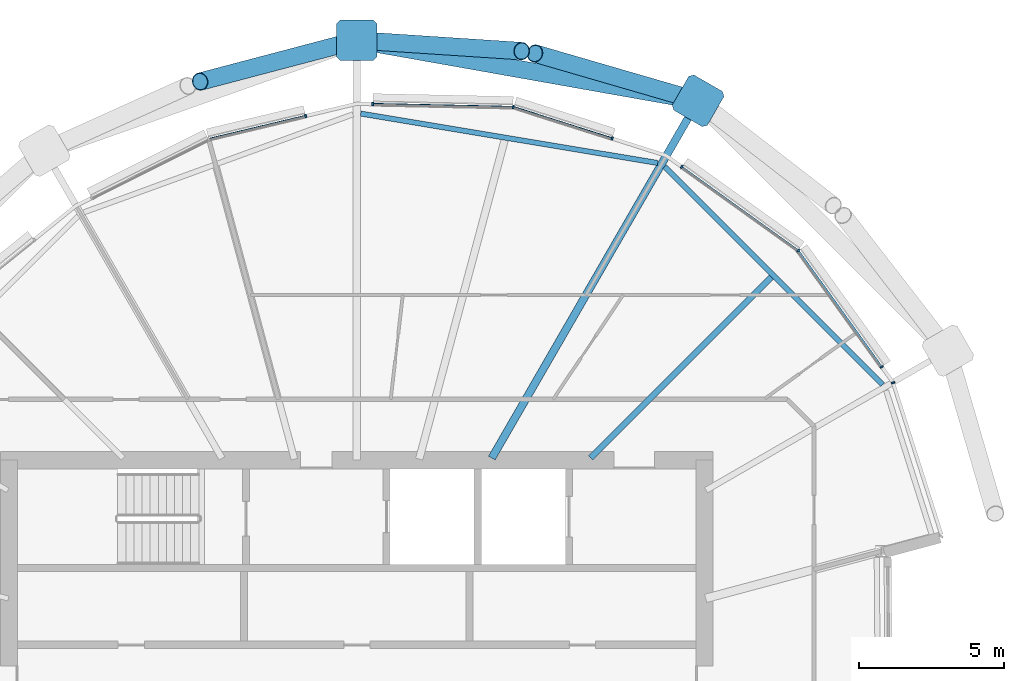
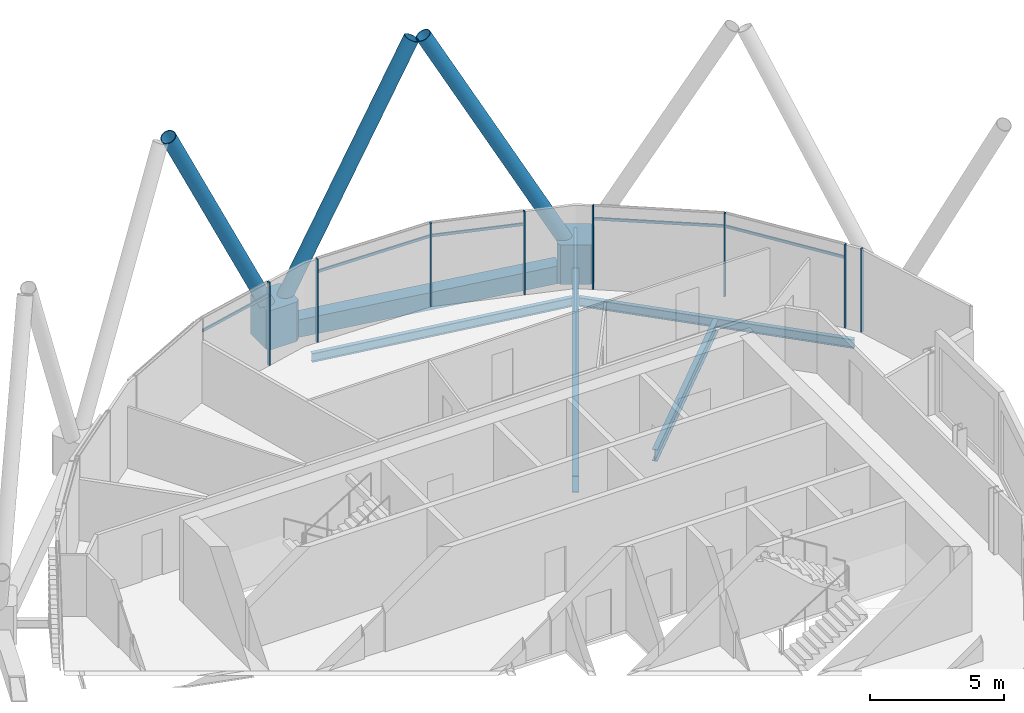
# One storey, part 19 of 36: 18 members, 5 beams, 1 element without a shape of its own.
"""IFC4 building model written with IfcOpenShell, lengths in metres."""

from ifc_helpers import new_model, si_unit, direction, frame, origin, origin_2d, place, context, subcontext, project, spatial, polyline, rectangle, hollow_rectangle, hollow_circle, i_section, outline, extrude, material, material_profile, profile_set, type_object, element, aggregate, save


model = new_model("IFC4")

# Units and contexts
model_context = context("Model", 3, precision=1e-05, world=origin(), true_north=direction((0.0, 1.0)))
body_context = subcontext(model_context, "Body", "Model", "MODEL_VIEW")
ifc_project = project(units=[si_unit("LENGTHUNIT", "METRE"), si_unit("AREAUNIT", "SQUARE_METRE"), si_unit("VOLUMEUNIT", "CUBIC_METRE"), si_unit("PLANEANGLEUNIT", "RADIAN"), si_unit("MASSUNIT", "GRAM", prefix="KILO")], contexts=[model_context])

# Site, building, storey
site_placement = place(None, origin())
site = spatial("IfcSite", under=ifc_project, at=site_placement, CompositionType="ELEMENT")
building_placement = place(site_placement, origin())
building = spatial("IfcBuilding", under=site, at=building_placement, Name="Rimbun Link Towers", CompositionType="ELEMENT")
storey_placement = place(building_placement, frame((0.0, 0.0, 193.10009765625)))
storey = spatial("IfcBuildingStorey", under=building, at=storey_placement, Name="L47", CompositionType="ELEMENT", Elevation=193.10009765625)

# Curtain wall, members
ifc_material_1 = material(Name="Aluminium 6063-T6 and low-iron glass", Category="aluminium")
curtain_wall_type = type_object("IfcCurtainWallType", Name="CW1-Z3 unitised vision wall (zone 3)", PredefinedType="NOTDEFINED", material=ifc_material_1)
curtain_wall_placement = place(storey_placement, origin())
curtain_wall = element("IfcCurtainWall", 1, at=curtain_wall_placement, inside=storey, type_object=curtain_wall_type, Name="CW1 L47 T2", PredefinedType="NOTDEFINED")
ifc_material_2 = material(Name="Aluminium 6063-T6", Category="aluminium")
ifc_material_profile_1 = material_profile(ifc_material_2, rectangle(XDim=0.1201171875, YDim=0.06005859375, at=origin_2d()), Name="MULLION 60X120")
ifc_profile_set_1 = profile_set([ifc_material_profile_1], Name="Aluminium 6063-T6")
member_type_1 = type_object("IfcMemberType", Name="CW1 mullion 60X120", PredefinedType="MULLION", material=ifc_profile_set_1)
member_1_placement = place(storey_placement, frame((42.964599609375, 18.118408203125, 0.0), z_axis=(0.0, 0.0, 1.0), x_axis=(0.583009333198, 0.81246545613, 0.0)))
member_1 = element("IfcMember", 2, at=member_1_placement, type_object=member_type_1, Name="CW1 mullion", PredefinedType="MULLION", context=body_context, shape_type="SweptSolid", body=[
    extrude(rectangle(XDim=0.1201171875, YDim=0.06005859375, at=origin_2d()), origin(), (0.0, 0.0, 1.0), 3.7998046875),
])
member_2_placement = place(storey_placement, frame((46.983642578125, 15.233642578125, 0.0), z_axis=(0.0, 0.0, 1.0), x_axis=(0.707106781187, 0.707106781187, 0.0)))
member_2 = element("IfcMember", 3, at=member_2_placement, type_object=member_type_1, Name="CW1 mullion", PredefinedType="MULLION", context=body_context, shape_type="SweptSolid", body=[
    extrude(rectangle(XDim=0.1201171875, YDim=0.06005859375, at=origin_2d()), origin(), (0.0, 0.0, 1.0), 3.7998046875),
])
member_3_placement = place(storey_placement, frame((37.1513671875, 20.1806640625, 0.0), z_axis=(0.0, 0.0, 1.0), x_axis=(0.16374971191, 0.9865019168, 0.0)))
member_3 = element("IfcMember", 4, at=member_3_placement, type_object=member_type_1, Name="CW1 mullion", PredefinedType="MULLION", context=body_context, shape_type="SweptSolid", body=[
    extrude(rectangle(XDim=0.1201171875, YDim=0.06005859375, at=origin_2d()), origin(), (0.0, 0.0, 1.0), 3.7998046875),
])
member_4_placement = place(storey_placement, frame((40.561279296875, 19.096923828125, 0.0), z_axis=(0.0, 0.0, 1.0), x_axis=(0.303071290464, 0.952967886603, 0.0)))
member_4 = element("IfcMember", 5, at=member_4_placement, type_object=member_type_1, Name="CW1 mullion", PredefinedType="MULLION", context=body_context, shape_type="SweptSolid", body=[
    extrude(rectangle(XDim=0.1201171875, YDim=0.06005859375, at=origin_2d()), origin(), (0.0, 0.0, 1.0), 3.7998046875),
])
member_5_placement = place(storey_placement, frame((32.301025390625, 20.283447265625, 0.0), z_axis=(0.0, 0.0, 1.0), x_axis=(0.021065527565, 0.999778097154, 0.0)))
member_5 = element("IfcMember", 6, at=member_5_placement, type_object=member_type_1, Name="CW1 mullion", PredefinedType="MULLION", context=body_context, shape_type="SweptSolid", body=[
    extrude(rectangle(XDim=0.1201171875, YDim=0.06005859375, at=origin_2d()), origin(), (0.0, 0.0, 1.0), 3.7998046875),
])
member_6_placement = place(storey_placement, frame((29.9853515625, 19.874755859375, 0.0), z_axis=(0.0, 0.0, 1.0), x_axis=(-0.23261560244, 0.972568754126, 0.0)))
member_6 = element("IfcMember", 7, at=member_6_placement, type_object=member_type_1, Name="CW1 mullion", PredefinedType="MULLION", context=body_context, shape_type="SweptSolid", body=[
    extrude(rectangle(XDim=0.1201171875, YDim=0.06005859375, at=origin_2d()), origin(), (0.0, 0.0, 1.0), 3.7998046875),
])
member_7_placement = place(storey_placement, frame((50.255859375, 10.669677734375, 0.0), z_axis=(0.0, 0.0, 1.0), x_axis=(0.952967886603, 0.303071290464, 0.0)))
member_7 = element("IfcMember", 8, at=member_7_placement, type_object=member_type_1, Name="CW1 mullion", PredefinedType="MULLION", context=body_context, shape_type="SweptSolid", body=[
    extrude(rectangle(XDim=0.1201171875, YDim=0.06005859375, at=origin_2d()), origin(), (0.0, 0.0, 1.0), 3.7998046875),
])
member_8_placement = place(storey_placement, frame((49.868408203125, 11.214599609375, 0.0), z_axis=(0.0, 0.0, 1.0), x_axis=(0.81246545613, 0.583009333198, 0.0)))
member_8 = element("IfcMember", 9, at=member_8_placement, type_object=member_type_1, Name="CW1 mullion", PredefinedType="MULLION", context=body_context, shape_type="SweptSolid", body=[
    extrude(rectangle(XDim=0.1201171875, YDim=0.06005859375, at=origin_2d()), origin(), (0.0, 0.0, 1.0), 3.7998046875),
])
ifc_material_3 = material(Name="Aluminium 6063-T6", Category="aluminium")
ifc_material_profile_2 = material_profile(ifc_material_3, rectangle(XDim=0.06005859375, YDim=0.1201171875, at=origin_2d()), Name="TRANSOM 60X120")
ifc_profile_set_2 = profile_set([ifc_material_profile_2], Name="Aluminium 6063-T6")
member_type_2 = type_object("IfcMemberType", Name="CW1 transom 60X120", PredefinedType="USERDEFINED", material=ifc_profile_set_2)
member_9_placement = place(storey_placement, frame((42.98779296875, 18.099365234375, 3.199951171875), z_axis=(0.812442893162, -0.583040775032, 0.0), x_axis=(0.583040775032, 0.812442893162, 0.0)))
member_9 = element("IfcMember", 10, at=member_9_placement, type_object=member_type_2, Name="CW1 transom", ObjectType="TRANSOM", PredefinedType="USERDEFINED", context=body_context, shape_type="SweptSolid", body=[
    extrude(rectangle(XDim=0.06005859375, YDim=0.1201171875, at=origin_2d()), origin(), (0.0, 0.0, 1.0), 4.87744140625),
])
member_10_placement = place(storey_placement, frame((37.187744140625, 20.167724609375, 3.199951171875), z_axis=(0.952955012801, -0.303111767468, 0.0), x_axis=(0.303111767468, 0.952955012801, 0.0)))
member_10 = element("IfcMember", 11, at=member_10_placement, type_object=member_type_2, Name="CW1 transom", ObjectType="TRANSOM", PredefinedType="USERDEFINED", context=body_context, shape_type="SweptSolid", body=[
    extrude(rectangle(XDim=0.06005859375, YDim=0.1201171875, at=origin_2d()), origin(), (0.0, 0.0, 1.0), 3.50927734375),
])
member_11_placement = place(storey_placement, frame((32.3310546875, 20.28076171875, 3.199951171875), z_axis=(0.999778828666, -0.021030781038, 0.0), x_axis=(0.021030781038, 0.999778828666, 0.0)))
member_11 = element("IfcMember", 12, at=member_11_placement, type_object=member_type_2, Name="CW1 transom", ObjectType="TRANSOM", PredefinedType="USERDEFINED", context=body_context, shape_type="SweptSolid", body=[
    extrude(rectangle(XDim=0.06005859375, YDim=0.1201171875, at=origin_2d()), origin(), (0.0, 0.0, 1.0), 4.78271484375),
])
member_12_placement = place(storey_placement, frame((26.670166015625, 19.079833984375, 3.199951171875), z_axis=(0.972581733642, 0.232561328227, 0.0), x_axis=(-0.232561328227, 0.972581733642, 0.0)))
member_12 = element("IfcMember", 13, at=member_12_placement, type_object=member_type_2, Name="CW1 transom", ObjectType="TRANSOM", PredefinedType="USERDEFINED", context=body_context, shape_type="SweptSolid", body=[
    extrude(rectangle(XDim=0.06005859375, YDim=0.1201171875, at=origin_2d()), origin(), (0.0, 0.0, 1.0), 3.37939453125),
])
member_13_placement = place(storey_placement, frame((47.005615234375, 15.200439453125, 3.199951171875), z_axis=(0.583040775032, -0.812442893162, 0.0), x_axis=(0.812442893162, 0.583040775032, 0.0)))
member_13 = element("IfcMember", 14, at=member_13_placement, type_object=member_type_2, Name="CW1 transom", ObjectType="TRANSOM", PredefinedType="USERDEFINED", context=body_context, shape_type="SweptSolid", body=[
    extrude(rectangle(XDim=0.06005859375, YDim=0.1201171875, at=origin_2d()), origin(), (0.0, 0.0, 1.0), 4.87744140625),
])
aggregate(curtain_wall, [member_1, member_2, member_3, member_4, member_5, member_6, member_7, member_8, member_9, member_10, member_11, member_12, member_13])

# Members
ifc_material_4 = material(Name="Steel S355J2H", Category="steel")
ifc_material_profile_3 = material_profile(ifc_material_4, hollow_circle(Radius=0.3046875, WallThickness=0.02490234375, at=origin_2d()), Name="Diagrid diagonal CHS 610x25")
ifc_profile_set_3 = profile_set([ifc_material_profile_3], Name="Steel S355J2H")
member_type_3 = type_object("IfcMemberType", Name="Diagrid diagonal CHS 610x25", PredefinedType="BRACE", material=ifc_profile_set_3)
member_14_placement = place(storey_placement, frame((43.2998046875, 20.462890625, 0.44091796875), z_axis=(-0.452934087612, 0.13146530095, 0.881797928624), x_axis=(-0.278748220303, -0.9603642172, 0.0)))
element("IfcMember", 15, at=member_14_placement, inside=storey, type_object=member_type_3, Name="Diagrid diagonal T2 L47-L50 01b", PredefinedType="BRACE", context=body_context, shape_type="SweptSolid", body=[
    extrude(hollow_circle(Radius=0.3046875, WallThickness=0.02490234375, at=origin_2d()), origin(), (0.0, 0.0, 1.0), 11.927978515625),
])
member_15_placement = place(storey_placement, frame((31.98046875, 22.469970703125, 0.443359375), z_axis=(0.460692482937, -0.030219811861, 0.887045206929), x_axis=(0.065455820602, 0.997855468266, 0.0)))
element("IfcMember", 16, at=member_15_placement, inside=storey, type_object=member_type_3, Name="Diagrid diagonal T2 L47-L50 03a", PredefinedType="BRACE", context=body_context, shape_type="SweptSolid", body=[
    extrude(hollow_circle(Radius=0.3046875, WallThickness=0.02490234375, at=origin_2d()), origin(), (0.0, 0.0, 1.0), 11.8515625),
])
member_16_placement = place(storey_placement, frame((31.5302734375, 22.42724609375, 0.4453125), z_axis=(-0.439677917546, -0.115847372251, 0.890652971232), x_axis=(0.254786717155, -0.966997274433, 0.0)))
element("IfcMember", 17, at=member_16_placement, inside=storey, type_object=member_type_3, Name="Diagrid diagonal T2 L47-L50 03b", PredefinedType="BRACE", context=body_context, shape_type="SweptSolid", body=[
    extrude(hollow_circle(Radius=0.3046875, WallThickness=0.02490234375, at=origin_2d()), origin(), (0.0, 0.0, 1.0), 11.799560546875),
])
ifc_material_5 = material(Name="Cast steel G20Mn5+QT, Rp0.2 300 MPa", Category="steel")
ifc_material_profile_4 = material_profile(ifc_material_5, outline(polyline([(0.699951171875, -0.570068359375), (0.699951171875, 0.570068359375), (0.570068359375, 0.699951171875), (-0.570068359375, 0.699951171875), (-0.699951171875, 0.570068359375), (-0.699951171875, -0.570068359375), (-0.570068359375, -0.699951171875), (0.570068359375, -0.699951171875), (0.699951171875, -0.570068359375)])), Name="NODE 1400x1400")
ifc_profile_set_4 = profile_set([ifc_material_profile_4], Name="Cast steel G20Mn5+QT, Rp0.2 300 MPa")
member_type_4 = type_object("IfcMemberType", Name="Diagrid node cast 1400", PredefinedType="USERDEFINED", material=ifc_profile_set_4)
for number, where, z_axis, x_axis, name in (
    (18, (43.5263671875, 20.397216796875, -0.900146484375), (0.0, 0.0, 1.0), (0.5, 0.866025403784, 0.0), "Diagrid node L47 01"),
    (19, (31.75, 22.485107421875, -0.900146484375), (0.0, 0.0, 1.0), (0.0, 1.0, 0.0), "Diagrid node L47 03"),
):
    element("IfcMember", number, at=place(storey_placement, frame(where, z_axis=z_axis, x_axis=x_axis)), inside=storey, type_object=member_type_4, Name=name, ObjectType="Diagrid node", PredefinedType="USERDEFINED", context=body_context, shape_type="SweptSolid", body=[
        extrude(outline(polyline([(0.699951171875, -0.570068359375), (0.699951171875, 0.570068359375), (0.570068359375, 0.699951171875), (-0.570068359375, 0.699951171875), (-0.699951171875, 0.570068359375), (-0.699951171875, -0.570068359375), (-0.570068359375, -0.699951171875), (0.570068359375, -0.699951171875), (0.699951171875, -0.570068359375)])), origin(), (0.0, 0.0, 1.0), 1.800048828125),
    ])

# Beams
ifc_material_6 = material(Name="Steel S355J2", Category="steel")
ifc_material_profile_5 = material_profile(ifc_material_6, hollow_rectangle(XDim=0.60009765625, YDim=0.800048828125, WallThickness=0.0400390625, at=origin_2d()), Name="Exoskeleton ring girder BOX 600x800x40")
ifc_profile_set_5 = profile_set([ifc_material_profile_5], Name="Steel S355J2")
beam_type_1 = type_object("IfcBeamType", Name="Exoskeleton ring girder BOX 600x800x40", PredefinedType="BEAM", material=ifc_profile_set_5)
beam_1_placement = place(storey_placement, frame((42.837158203125, 20.51953125, -0.56005859375), z_axis=(-0.984648270208, 0.17455023339, 0.0), x_axis=(-0.17455023339, -0.984648270208, 0.0)))
element("IfcBeam", 20, at=beam_1_placement, inside=storey, type_object=beam_type_1, Name="Exoskeleton ring girder L47 00", PredefinedType="BEAM", context=body_context, shape_type="SweptSolid", body=[
    extrude(hollow_rectangle(XDim=0.60009765625, YDim=0.800048828125, WallThickness=0.0400390625, at=origin_2d()), origin(), (0.0, 0.0, 1.0), 10.56005859375),
])
ifc_material_7 = material(Name="Steel S355J2", Category="steel")
ifc_material_profile_6 = material_profile(ifc_material_7, i_section(OverallWidth=0.177978515625, OverallDepth=0.406494140625, WebThickness=0.0078125, FlangeThickness=0.0126953125, at=origin_2d()), Name="UB 406x178x60")
ifc_profile_set_6 = profile_set([ifc_material_profile_6], Name="Steel S355J2")
beam_type_2 = type_object("IfcBeamType", Name="UB 406x178x60", PredefinedType="BEAM", material=ifc_profile_set_6)
beam_2_placement = place(storey_placement, frame((42.1318359375, 18.25048828125, -0.353271484375), z_axis=(-0.986434544203, 0.164155079127, 0.0), x_axis=(-0.164155079127, -0.986434544203, 0.0)))
element("IfcBeam", 21, at=beam_2_placement, inside=storey, type_object=beam_type_2, Name="Edge beam T2 L47 01-03", PredefinedType="BEAM", context=body_context, shape_type="SweptSolid", body=[
    extrude(i_section(OverallWidth=0.177978515625, OverallDepth=0.406494140625, WebThickness=0.0078125, FlangeThickness=0.0126953125, at=origin_2d()), origin(), (0.0, 0.0, 1.0), 10.388427734375),
])
beam_3_placement = place(storey_placement, frame((49.89990234375, 10.6005859375, -0.353271484375), z_axis=(-0.707118246884, 0.707095315303, 0.0), x_axis=(-0.707095315303, -0.707118246884, 0.0)))
element("IfcBeam", 22, at=beam_3_placement, inside=storey, type_object=beam_type_2, Name="Edge beam T2 L47 23-01", PredefinedType="BEAM", context=body_context, shape_type="SweptSolid", body=[
    extrude(i_section(OverallWidth=0.177978515625, OverallDepth=0.406494140625, WebThickness=0.0078125, FlangeThickness=0.0126953125, at=origin_2d()), origin(), (0.0, 0.0, 1.0), 10.646484375),
])
ifc_material_8 = material(Name="Steel S355J2", Category="steel")
ifc_material_profile_7 = material_profile(ifc_material_8, i_section(OverallWidth=0.209228515625, OverallDepth=0.533203125, WebThickness=0.010009765625, FlangeThickness=0.015625, at=origin_2d()), Name="UB 533x210x92")
ifc_profile_set_7 = profile_set([ifc_material_profile_7], Name="Steel S355J2")
beam_type_3 = type_object("IfcBeamType", Name="UB 533x210x92", PredefinedType="BEAM", material=ifc_profile_set_7)
beam_4_placement = place(storey_placement, frame((39.82470703125, 8.07470703125, -0.416748046875), z_axis=(0.707106781187, 0.707106781187, 0.0), x_axis=(-0.707106781187, 0.707106781187, 0.0)))
element("IfcBeam", 23, at=beam_4_placement, inside=storey, type_object=beam_type_3, Name="Radial beam T2 L47 00", PredefinedType="BEAM", context=body_context, shape_type="SweptSolid", body=[
    extrude(i_section(OverallWidth=0.209228515625, OverallDepth=0.533203125, WebThickness=0.010009765625, FlangeThickness=0.015625, at=origin_2d()), origin(), (0.0, 0.0, 1.0), 8.820068359375),
])
ifc_material_9 = material(Name="Steel S355J2", Category="steel")
ifc_material_profile_8 = material_profile(ifc_material_9, i_section(OverallWidth=0.2666015625, OverallDepth=0.76220703125, WebThickness=0.014404296875, FlangeThickness=0.021484375, at=origin_2d()), Name="UB 762x267x173")
ifc_profile_set_8 = profile_set([ifc_material_profile_8], Name="Steel S355J2")
beam_type_4 = type_object("IfcBeamType", Name="UB 762x267x173", PredefinedType="BEAM", material=ifc_profile_set_8)
beam_5_placement = place(storey_placement, frame((36.40771484375, 8.0673828125, -0.53125), z_axis=(0.49999628631, 0.866027547874, 0.0), x_axis=(-0.866027547874, 0.49999628631, 0.0)))
element("IfcBeam", 24, at=beam_5_placement, inside=storey, type_object=beam_type_4, Name="Radial beam T2 L47 01", PredefinedType="BEAM", context=body_context, shape_type="SweptSolid", body=[
    extrude(i_section(OverallWidth=0.2666015625, OverallDepth=0.76220703125, WebThickness=0.014404296875, FlangeThickness=0.021484375, at=origin_2d()), origin(), (0.0, 0.0, 1.0), 13.7373046875),
])

save(model, "model.ifc")
